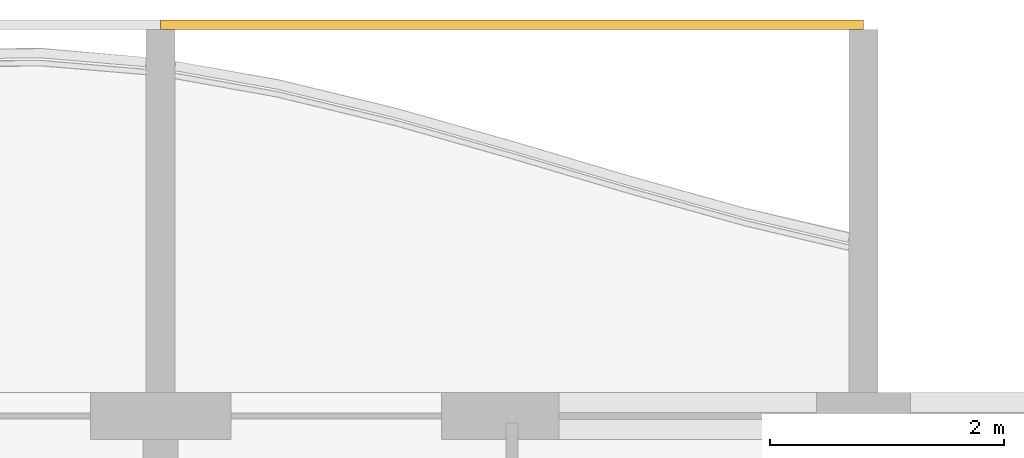
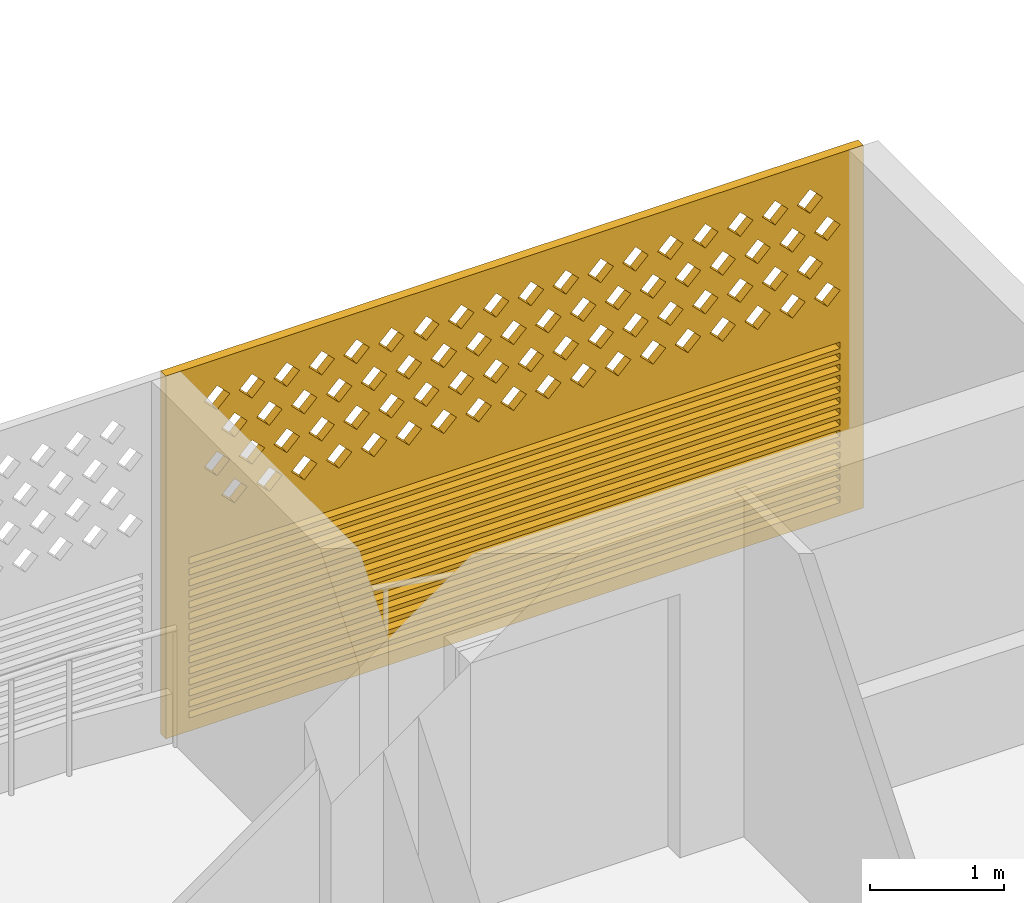
# One storey, part 25 of 31: 1 covering.
"""IFC4 building model written with IfcOpenShell, lengths in metres."""

from ifc_helpers import new_model, si_unit, direction, frame, origin, place, context, subcontext, project, spatial, polyline, outline, extrude, source, transform, mapped, material, material_profile, profile_set, type_object, element, save


model = new_model("IFC4")

# Units and contexts
model_context = context("Model", 3, precision=1e-05, world=origin(), true_north=direction((0.0, 1.0)))
body_context = subcontext(model_context, "Body", "Model", "MODEL_VIEW")
ifc_project = project(units=[si_unit("LENGTHUNIT", "METRE"), si_unit("AREAUNIT", "SQUARE_METRE"), si_unit("VOLUMEUNIT", "CUBIC_METRE"), si_unit("PLANEANGLEUNIT", "RADIAN"), si_unit("MASSUNIT", "GRAM", prefix="KILO")], contexts=[model_context])

# Site, building, storey
site_placement = place(None, origin())
site = spatial("IfcSite", under=ifc_project, at=site_placement, CompositionType="ELEMENT")
building_placement = place(site_placement, origin())
building = spatial("IfcBuilding", under=site, at=building_placement, Name="Poui Terraces", CompositionType="ELEMENT")
storey_placement = place(building_placement, frame((0.0, 0.0, 148.800048828125)))
storey = spatial("IfcBuildingStorey", under=building, at=storey_placement, Name="L41", CompositionType="ELEMENT", Elevation=148.800048828125)

# Covering
ifc_material = material(Name="Terracotta screen", Category="masonry")
ifc_material_profile = material_profile(ifc_material, outline(polyline([(-3.0, -1.64990234375), (3.0, -1.64990234375), (3.0, 1.64990234375), (-3.0, 1.64990234375), (-3.0, -1.64990234375)]), holes=[polyline([(-2.800048828125, 0.39990234375), (-2.68994140625, 0.2900390625), (-2.580078125, 0.39990234375), (-2.68994140625, 0.510009765625), (-2.800048828125, 0.39990234375)]), polyline([(-2.5, 0.39990234375), (-2.389892578125, 0.2900390625), (-2.280029296875, 0.39990234375), (-2.389892578125, 0.510009765625), (-2.5, 0.39990234375)]), polyline([(-2.199951171875, 0.39990234375), (-2.090087890625, 0.2900390625), (-1.97998046875, 0.39990234375), (-2.090087890625, 0.510009765625), (-2.199951171875, 0.39990234375)]), polyline([(-1.89990234375, 0.39990234375), (-1.7900390625, 0.2900390625), (-1.679931640625, 0.39990234375), (-1.7900390625, 0.510009765625), (-1.89990234375, 0.39990234375)]), polyline([(-1.60009765625, 0.39990234375), (-1.489990234375, 0.2900390625), (-1.3798828125, 0.39990234375), (-1.489990234375, 0.510009765625), (-1.60009765625, 0.39990234375)]), polyline([(-1.300048828125, 0.39990234375), (-1.18994140625, 0.2900390625), (-1.080078125, 0.39990234375), (-1.18994140625, 0.510009765625), (-1.300048828125, 0.39990234375)]), polyline([(-1.0, 0.39990234375), (-0.889892578125, 0.2900390625), (-0.780029296875, 0.39990234375), (-0.889892578125, 0.510009765625), (-1.0, 0.39990234375)]), polyline([(-0.699951171875, 0.39990234375), (-0.590087890625, 0.2900390625), (-0.47998046875, 0.39990234375), (-0.590087890625, 0.510009765625), (-0.699951171875, 0.39990234375)]), polyline([(-0.39990234375, 0.39990234375), (-0.2900390625, 0.2900390625), (-0.179931640625, 0.39990234375), (-0.2900390625, 0.510009765625), (-0.39990234375, 0.39990234375)]), polyline([(-0.10009765625, 0.39990234375), (0.010009765625, 0.2900390625), (0.1201171875, 0.39990234375), (0.010009765625, 0.510009765625), (-0.10009765625, 0.39990234375)]), polyline([(0.199951171875, 0.39990234375), (0.31005859375, 0.2900390625), (0.419921875, 0.39990234375), (0.31005859375, 0.510009765625), (0.199951171875, 0.39990234375)]), polyline([(0.5, 0.39990234375), (0.610107421875, 0.2900390625), (0.719970703125, 0.39990234375), (0.610107421875, 0.510009765625), (0.5, 0.39990234375)]), polyline([(0.800048828125, 0.39990234375), (0.909912109375, 0.2900390625), (1.02001953125, 0.39990234375), (0.909912109375, 0.510009765625), (0.800048828125, 0.39990234375)]), polyline([(1.10009765625, 0.39990234375), (1.2099609375, 0.2900390625), (1.320068359375, 0.39990234375), (1.2099609375, 0.510009765625), (1.10009765625, 0.39990234375)]), polyline([(1.39990234375, 0.39990234375), (1.510009765625, 0.2900390625), (1.6201171875, 0.39990234375), (1.510009765625, 0.510009765625), (1.39990234375, 0.39990234375)]), polyline([(1.699951171875, 0.39990234375), (1.81005859375, 0.2900390625), (1.919921875, 0.39990234375), (1.81005859375, 0.510009765625), (1.699951171875, 0.39990234375)]), polyline([(2.0, 0.39990234375), (2.110107421875, 0.2900390625), (2.219970703125, 0.39990234375), (2.110107421875, 0.510009765625), (2.0, 0.39990234375)]), polyline([(2.300048828125, 0.39990234375), (2.409912109375, 0.2900390625), (2.52001953125, 0.39990234375), (2.409912109375, 0.510009765625), (2.300048828125, 0.39990234375)]), polyline([(-2.64990234375, 0.699951171875), (-2.5400390625, 0.590087890625), (-2.429931640625, 0.699951171875), (-2.5400390625, 0.81005859375), (-2.64990234375, 0.699951171875)]), polyline([(-2.35009765625, 0.699951171875), (-2.239990234375, 0.590087890625), (-2.1298828125, 0.699951171875), (-2.239990234375, 0.81005859375), (-2.35009765625, 0.699951171875)]), polyline([(-2.050048828125, 0.699951171875), (-1.93994140625, 0.590087890625), (-1.830078125, 0.699951171875), (-1.93994140625, 0.81005859375), (-2.050048828125, 0.699951171875)]), polyline([(-1.75, 0.699951171875), (-1.639892578125, 0.590087890625), (-1.530029296875, 0.699951171875), (-1.639892578125, 0.81005859375), (-1.75, 0.699951171875)]), polyline([(-1.449951171875, 0.699951171875), (-1.340087890625, 0.590087890625), (-1.22998046875, 0.699951171875), (-1.340087890625, 0.81005859375), (-1.449951171875, 0.699951171875)]), polyline([(-1.14990234375, 0.699951171875), (-1.0400390625, 0.590087890625), (-0.929931640625, 0.699951171875), (-1.0400390625, 0.81005859375), (-1.14990234375, 0.699951171875)]), polyline([(-0.85009765625, 0.699951171875), (-0.739990234375, 0.590087890625), (-0.6298828125, 0.699951171875), (-0.739990234375, 0.81005859375), (-0.85009765625, 0.699951171875)]), polyline([(-0.550048828125, 0.699951171875), (-0.43994140625, 0.590087890625), (-0.330078125, 0.699951171875), (-0.43994140625, 0.81005859375), (-0.550048828125, 0.699951171875)]), polyline([(-0.25, 0.699951171875), (-0.139892578125, 0.590087890625), (-0.030029296875, 0.699951171875), (-0.139892578125, 0.81005859375), (-0.25, 0.699951171875)]), polyline([(0.050048828125, 0.699951171875), (0.159912109375, 0.590087890625), (0.27001953125, 0.699951171875), (0.159912109375, 0.81005859375), (0.050048828125, 0.699951171875)]), polyline([(0.35009765625, 0.699951171875), (0.4599609375, 0.590087890625), (0.570068359375, 0.699951171875), (0.4599609375, 0.81005859375), (0.35009765625, 0.699951171875)]), polyline([(0.64990234375, 0.699951171875), (0.760009765625, 0.590087890625), (0.8701171875, 0.699951171875), (0.760009765625, 0.81005859375), (0.64990234375, 0.699951171875)]), polyline([(0.949951171875, 0.699951171875), (1.06005859375, 0.590087890625), (1.169921875, 0.699951171875), (1.06005859375, 0.81005859375), (0.949951171875, 0.699951171875)]), polyline([(1.25, 0.699951171875), (1.360107421875, 0.590087890625), (1.469970703125, 0.699951171875), (1.360107421875, 0.81005859375), (1.25, 0.699951171875)]), polyline([(1.550048828125, 0.699951171875), (1.659912109375, 0.590087890625), (1.77001953125, 0.699951171875), (1.659912109375, 0.81005859375), (1.550048828125, 0.699951171875)]), polyline([(1.85009765625, 0.699951171875), (1.9599609375, 0.590087890625), (2.070068359375, 0.699951171875), (1.9599609375, 0.81005859375), (1.85009765625, 0.699951171875)]), polyline([(2.14990234375, 0.699951171875), (2.260009765625, 0.590087890625), (2.3701171875, 0.699951171875), (2.260009765625, 0.81005859375), (2.14990234375, 0.699951171875)]), polyline([(2.449951171875, 0.699951171875), (2.56005859375, 0.590087890625), (2.669921875, 0.699951171875), (2.56005859375, 0.81005859375), (2.449951171875, 0.699951171875)]), polyline([(-2.800048828125, 1.0), (-2.68994140625, 0.889892578125), (-2.580078125, 1.0), (-2.68994140625, 1.110107421875), (-2.800048828125, 1.0)]), polyline([(-2.5, 1.0), (-2.389892578125, 0.889892578125), (-2.280029296875, 1.0), (-2.389892578125, 1.110107421875), (-2.5, 1.0)]), polyline([(-2.199951171875, 1.0), (-2.090087890625, 0.889892578125), (-1.97998046875, 1.0), (-2.090087890625, 1.110107421875), (-2.199951171875, 1.0)]), polyline([(-1.89990234375, 1.0), (-1.7900390625, 0.889892578125), (-1.679931640625, 1.0), (-1.7900390625, 1.110107421875), (-1.89990234375, 1.0)]), polyline([(-1.60009765625, 1.0), (-1.489990234375, 0.889892578125), (-1.3798828125, 1.0), (-1.489990234375, 1.110107421875), (-1.60009765625, 1.0)]), polyline([(-1.300048828125, 1.0), (-1.18994140625, 0.889892578125), (-1.080078125, 1.0), (-1.18994140625, 1.110107421875), (-1.300048828125, 1.0)]), polyline([(-1.0, 1.0), (-0.889892578125, 0.889892578125), (-0.780029296875, 1.0), (-0.889892578125, 1.110107421875), (-1.0, 1.0)]), polyline([(-0.699951171875, 1.0), (-0.590087890625, 0.889892578125), (-0.47998046875, 1.0), (-0.590087890625, 1.110107421875), (-0.699951171875, 1.0)]), polyline([(-0.39990234375, 1.0), (-0.2900390625, 0.889892578125), (-0.179931640625, 1.0), (-0.2900390625, 1.110107421875), (-0.39990234375, 1.0)]), polyline([(-0.10009765625, 1.0), (0.010009765625, 0.889892578125), (0.1201171875, 1.0), (0.010009765625, 1.110107421875), (-0.10009765625, 1.0)]), polyline([(0.199951171875, 1.0), (0.31005859375, 0.889892578125), (0.419921875, 1.0), (0.31005859375, 1.110107421875), (0.199951171875, 1.0)]), polyline([(0.5, 1.0), (0.610107421875, 0.889892578125), (0.719970703125, 1.0), (0.610107421875, 1.110107421875), (0.5, 1.0)]), polyline([(0.800048828125, 1.0), (0.909912109375, 0.889892578125), (1.02001953125, 1.0), (0.909912109375, 1.110107421875), (0.800048828125, 1.0)]), polyline([(1.10009765625, 1.0), (1.2099609375, 0.889892578125), (1.320068359375, 1.0), (1.2099609375, 1.110107421875), (1.10009765625, 1.0)]), polyline([(1.39990234375, 1.0), (1.510009765625, 0.889892578125), (1.6201171875, 1.0), (1.510009765625, 1.110107421875), (1.39990234375, 1.0)]), polyline([(1.699951171875, 1.0), (1.81005859375, 0.889892578125), (1.919921875, 1.0), (1.81005859375, 1.110107421875), (1.699951171875, 1.0)]), polyline([(2.0, 1.0), (2.110107421875, 0.889892578125), (2.219970703125, 1.0), (2.110107421875, 1.110107421875), (2.0, 1.0)]), polyline([(2.300048828125, 1.0), (2.409912109375, 0.889892578125), (2.52001953125, 1.0), (2.409912109375, 1.110107421875), (2.300048828125, 1.0)]), polyline([(-2.64990234375, 1.300048828125), (-2.5400390625, 1.18994140625), (-2.429931640625, 1.300048828125), (-2.5400390625, 1.409912109375), (-2.64990234375, 1.300048828125)]), polyline([(-2.35009765625, 1.300048828125), (-2.239990234375, 1.18994140625), (-2.1298828125, 1.300048828125), (-2.239990234375, 1.409912109375), (-2.35009765625, 1.300048828125)]), polyline([(-2.050048828125, 1.300048828125), (-1.93994140625, 1.18994140625), (-1.830078125, 1.300048828125), (-1.93994140625, 1.409912109375), (-2.050048828125, 1.300048828125)]), polyline([(-1.75, 1.300048828125), (-1.639892578125, 1.18994140625), (-1.530029296875, 1.300048828125), (-1.639892578125, 1.409912109375), (-1.75, 1.300048828125)]), polyline([(-1.449951171875, 1.300048828125), (-1.340087890625, 1.18994140625), (-1.22998046875, 1.300048828125), (-1.340087890625, 1.409912109375), (-1.449951171875, 1.300048828125)]), polyline([(-1.14990234375, 1.300048828125), (-1.0400390625, 1.18994140625), (-0.929931640625, 1.300048828125), (-1.0400390625, 1.409912109375), (-1.14990234375, 1.300048828125)]), polyline([(-0.85009765625, 1.300048828125), (-0.739990234375, 1.18994140625), (-0.6298828125, 1.300048828125), (-0.739990234375, 1.409912109375), (-0.85009765625, 1.300048828125)]), polyline([(-0.550048828125, 1.300048828125), (-0.43994140625, 1.18994140625), (-0.330078125, 1.300048828125), (-0.43994140625, 1.409912109375), (-0.550048828125, 1.300048828125)]), polyline([(-0.25, 1.300048828125), (-0.139892578125, 1.18994140625), (-0.030029296875, 1.300048828125), (-0.139892578125, 1.409912109375), (-0.25, 1.300048828125)]), polyline([(0.050048828125, 1.300048828125), (0.159912109375, 1.18994140625), (0.27001953125, 1.300048828125), (0.159912109375, 1.409912109375), (0.050048828125, 1.300048828125)]), polyline([(0.35009765625, 1.300048828125), (0.4599609375, 1.18994140625), (0.570068359375, 1.300048828125), (0.4599609375, 1.409912109375), (0.35009765625, 1.300048828125)]), polyline([(0.64990234375, 1.300048828125), (0.760009765625, 1.18994140625), (0.8701171875, 1.300048828125), (0.760009765625, 1.409912109375), (0.64990234375, 1.300048828125)]), polyline([(0.949951171875, 1.300048828125), (1.06005859375, 1.18994140625), (1.169921875, 1.300048828125), (1.06005859375, 1.409912109375), (0.949951171875, 1.300048828125)]), polyline([(1.25, 1.300048828125), (1.360107421875, 1.18994140625), (1.469970703125, 1.300048828125), (1.360107421875, 1.409912109375), (1.25, 1.300048828125)]), polyline([(1.550048828125, 1.300048828125), (1.659912109375, 1.18994140625), (1.77001953125, 1.300048828125), (1.659912109375, 1.409912109375), (1.550048828125, 1.300048828125)]), polyline([(1.85009765625, 1.300048828125), (1.9599609375, 1.18994140625), (2.070068359375, 1.300048828125), (1.9599609375, 1.409912109375), (1.85009765625, 1.300048828125)]), polyline([(2.14990234375, 1.300048828125), (2.260009765625, 1.18994140625), (2.3701171875, 1.300048828125), (2.260009765625, 1.409912109375), (2.14990234375, 1.300048828125)]), polyline([(2.449951171875, 1.300048828125), (2.56005859375, 1.18994140625), (2.669921875, 1.300048828125), (2.56005859375, 1.409912109375), (2.449951171875, 1.300048828125)]), polyline([(-2.800048828125, -1.530029296875), (2.800048828125, -1.530029296875), (2.800048828125, -1.469970703125), (-2.800048828125, -1.469970703125), (-2.800048828125, -1.530029296875)]), polyline([(-2.800048828125, -1.429931640625), (2.800048828125, -1.429931640625), (2.800048828125, -1.3701171875), (-2.800048828125, -1.3701171875), (-2.800048828125, -1.429931640625)]), polyline([(-2.800048828125, -1.330078125), (2.800048828125, -1.330078125), (2.800048828125, -1.27001953125), (-2.800048828125, -1.27001953125), (-2.800048828125, -1.330078125)]), polyline([(-2.800048828125, -1.22998046875), (2.800048828125, -1.22998046875), (2.800048828125, -1.169921875), (-2.800048828125, -1.169921875), (-2.800048828125, -1.22998046875)]), polyline([(-2.800048828125, -1.1298828125), (2.800048828125, -1.1298828125), (2.800048828125, -1.070068359375), (-2.800048828125, -1.070068359375), (-2.800048828125, -1.1298828125)]), polyline([(-2.800048828125, -1.030029296875), (2.800048828125, -1.030029296875), (2.800048828125, -0.969970703125), (-2.800048828125, -0.969970703125), (-2.800048828125, -1.030029296875)]), polyline([(-2.800048828125, -0.929931640625), (2.800048828125, -0.929931640625), (2.800048828125, -0.8701171875), (-2.800048828125, -0.8701171875), (-2.800048828125, -0.929931640625)]), polyline([(-2.800048828125, -0.830078125), (2.800048828125, -0.830078125), (2.800048828125, -0.77001953125), (-2.800048828125, -0.77001953125), (-2.800048828125, -0.830078125)]), polyline([(-2.800048828125, -0.72998046875), (2.800048828125, -0.72998046875), (2.800048828125, -0.669921875), (-2.800048828125, -0.669921875), (-2.800048828125, -0.72998046875)]), polyline([(-2.800048828125, -0.6298828125), (2.800048828125, -0.6298828125), (2.800048828125, -0.570068359375), (-2.800048828125, -0.570068359375), (-2.800048828125, -0.6298828125)]), polyline([(-2.800048828125, -0.530029296875), (2.800048828125, -0.530029296875), (2.800048828125, -0.469970703125), (-2.800048828125, -0.469970703125), (-2.800048828125, -0.530029296875)]), polyline([(-2.800048828125, -0.429931640625), (2.800048828125, -0.429931640625), (2.800048828125, -0.3701171875), (-2.800048828125, -0.3701171875), (-2.800048828125, -0.429931640625)]), polyline([(-2.800048828125, -0.330078125), (2.800048828125, -0.330078125), (2.800048828125, -0.27001953125), (-2.800048828125, -0.27001953125), (-2.800048828125, -0.330078125)]), polyline([(-2.800048828125, -0.22998046875), (2.800048828125, -0.22998046875), (2.800048828125, -0.169921875), (-2.800048828125, -0.169921875), (-2.800048828125, -0.22998046875)]), polyline([(-2.800048828125, -0.1298828125), (2.800048828125, -0.1298828125), (2.800048828125, -0.070068359375), (-2.800048828125, -0.070068359375), (-2.800048828125, -0.1298828125)])]), Name="TERRACOTTA SCREEN AND JALOUSIE LOUVRE 6000X3300")
ifc_profile_set = profile_set([ifc_material_profile], Name="Terracotta screen")
covering_type = type_object("IfcCoveringType", Name="TERRACOTTA SCREEN AND JALOUSIE LOUVRE 6000X3300", PredefinedType="CLADDING", material=ifc_profile_set)
shared_shape = source(origin(), body_context, "Body", "SweptSolid", [
    extrude(outline(polyline([(-3.0, -1.64990234375), (3.0, -1.64990234375), (3.0, 1.64990234375), (-3.0, 1.64990234375), (-3.0, -1.64990234375)]), holes=[polyline([(-2.800048828125, 0.39990234375), (-2.68994140625, 0.2900390625), (-2.580078125, 0.39990234375), (-2.68994140625, 0.510009765625), (-2.800048828125, 0.39990234375)]), polyline([(-2.5, 0.39990234375), (-2.389892578125, 0.2900390625), (-2.280029296875, 0.39990234375), (-2.389892578125, 0.510009765625), (-2.5, 0.39990234375)]), polyline([(-2.199951171875, 0.39990234375), (-2.090087890625, 0.2900390625), (-1.97998046875, 0.39990234375), (-2.090087890625, 0.510009765625), (-2.199951171875, 0.39990234375)]), polyline([(-1.89990234375, 0.39990234375), (-1.7900390625, 0.2900390625), (-1.679931640625, 0.39990234375), (-1.7900390625, 0.510009765625), (-1.89990234375, 0.39990234375)]), polyline([(-1.60009765625, 0.39990234375), (-1.489990234375, 0.2900390625), (-1.3798828125, 0.39990234375), (-1.489990234375, 0.510009765625), (-1.60009765625, 0.39990234375)]), polyline([(-1.300048828125, 0.39990234375), (-1.18994140625, 0.2900390625), (-1.080078125, 0.39990234375), (-1.18994140625, 0.510009765625), (-1.300048828125, 0.39990234375)]), polyline([(-1.0, 0.39990234375), (-0.889892578125, 0.2900390625), (-0.780029296875, 0.39990234375), (-0.889892578125, 0.510009765625), (-1.0, 0.39990234375)]), polyline([(-0.699951171875, 0.39990234375), (-0.590087890625, 0.2900390625), (-0.47998046875, 0.39990234375), (-0.590087890625, 0.510009765625), (-0.699951171875, 0.39990234375)]), polyline([(-0.39990234375, 0.39990234375), (-0.2900390625, 0.2900390625), (-0.179931640625, 0.39990234375), (-0.2900390625, 0.510009765625), (-0.39990234375, 0.39990234375)]), polyline([(-0.10009765625, 0.39990234375), (0.010009765625, 0.2900390625), (0.1201171875, 0.39990234375), (0.010009765625, 0.510009765625), (-0.10009765625, 0.39990234375)]), polyline([(0.199951171875, 0.39990234375), (0.31005859375, 0.2900390625), (0.419921875, 0.39990234375), (0.31005859375, 0.510009765625), (0.199951171875, 0.39990234375)]), polyline([(0.5, 0.39990234375), (0.610107421875, 0.2900390625), (0.719970703125, 0.39990234375), (0.610107421875, 0.510009765625), (0.5, 0.39990234375)]), polyline([(0.800048828125, 0.39990234375), (0.909912109375, 0.2900390625), (1.02001953125, 0.39990234375), (0.909912109375, 0.510009765625), (0.800048828125, 0.39990234375)]), polyline([(1.10009765625, 0.39990234375), (1.2099609375, 0.2900390625), (1.320068359375, 0.39990234375), (1.2099609375, 0.510009765625), (1.10009765625, 0.39990234375)]), polyline([(1.39990234375, 0.39990234375), (1.510009765625, 0.2900390625), (1.6201171875, 0.39990234375), (1.510009765625, 0.510009765625), (1.39990234375, 0.39990234375)]), polyline([(1.699951171875, 0.39990234375), (1.81005859375, 0.2900390625), (1.919921875, 0.39990234375), (1.81005859375, 0.510009765625), (1.699951171875, 0.39990234375)]), polyline([(2.0, 0.39990234375), (2.110107421875, 0.2900390625), (2.219970703125, 0.39990234375), (2.110107421875, 0.510009765625), (2.0, 0.39990234375)]), polyline([(2.300048828125, 0.39990234375), (2.409912109375, 0.2900390625), (2.52001953125, 0.39990234375), (2.409912109375, 0.510009765625), (2.300048828125, 0.39990234375)]), polyline([(-2.64990234375, 0.699951171875), (-2.5400390625, 0.590087890625), (-2.429931640625, 0.699951171875), (-2.5400390625, 0.81005859375), (-2.64990234375, 0.699951171875)]), polyline([(-2.35009765625, 0.699951171875), (-2.239990234375, 0.590087890625), (-2.1298828125, 0.699951171875), (-2.239990234375, 0.81005859375), (-2.35009765625, 0.699951171875)]), polyline([(-2.050048828125, 0.699951171875), (-1.93994140625, 0.590087890625), (-1.830078125, 0.699951171875), (-1.93994140625, 0.81005859375), (-2.050048828125, 0.699951171875)]), polyline([(-1.75, 0.699951171875), (-1.639892578125, 0.590087890625), (-1.530029296875, 0.699951171875), (-1.639892578125, 0.81005859375), (-1.75, 0.699951171875)]), polyline([(-1.449951171875, 0.699951171875), (-1.340087890625, 0.590087890625), (-1.22998046875, 0.699951171875), (-1.340087890625, 0.81005859375), (-1.449951171875, 0.699951171875)]), polyline([(-1.14990234375, 0.699951171875), (-1.0400390625, 0.590087890625), (-0.929931640625, 0.699951171875), (-1.0400390625, 0.81005859375), (-1.14990234375, 0.699951171875)]), polyline([(-0.85009765625, 0.699951171875), (-0.739990234375, 0.590087890625), (-0.6298828125, 0.699951171875), (-0.739990234375, 0.81005859375), (-0.85009765625, 0.699951171875)]), polyline([(-0.550048828125, 0.699951171875), (-0.43994140625, 0.590087890625), (-0.330078125, 0.699951171875), (-0.43994140625, 0.81005859375), (-0.550048828125, 0.699951171875)]), polyline([(-0.25, 0.699951171875), (-0.139892578125, 0.590087890625), (-0.030029296875, 0.699951171875), (-0.139892578125, 0.81005859375), (-0.25, 0.699951171875)]), polyline([(0.050048828125, 0.699951171875), (0.159912109375, 0.590087890625), (0.27001953125, 0.699951171875), (0.159912109375, 0.81005859375), (0.050048828125, 0.699951171875)]), polyline([(0.35009765625, 0.699951171875), (0.4599609375, 0.590087890625), (0.570068359375, 0.699951171875), (0.4599609375, 0.81005859375), (0.35009765625, 0.699951171875)]), polyline([(0.64990234375, 0.699951171875), (0.760009765625, 0.590087890625), (0.8701171875, 0.699951171875), (0.760009765625, 0.81005859375), (0.64990234375, 0.699951171875)]), polyline([(0.949951171875, 0.699951171875), (1.06005859375, 0.590087890625), (1.169921875, 0.699951171875), (1.06005859375, 0.81005859375), (0.949951171875, 0.699951171875)]), polyline([(1.25, 0.699951171875), (1.360107421875, 0.590087890625), (1.469970703125, 0.699951171875), (1.360107421875, 0.81005859375), (1.25, 0.699951171875)]), polyline([(1.550048828125, 0.699951171875), (1.659912109375, 0.590087890625), (1.77001953125, 0.699951171875), (1.659912109375, 0.81005859375), (1.550048828125, 0.699951171875)]), polyline([(1.85009765625, 0.699951171875), (1.9599609375, 0.590087890625), (2.070068359375, 0.699951171875), (1.9599609375, 0.81005859375), (1.85009765625, 0.699951171875)]), polyline([(2.14990234375, 0.699951171875), (2.260009765625, 0.590087890625), (2.3701171875, 0.699951171875), (2.260009765625, 0.81005859375), (2.14990234375, 0.699951171875)]), polyline([(2.449951171875, 0.699951171875), (2.56005859375, 0.590087890625), (2.669921875, 0.699951171875), (2.56005859375, 0.81005859375), (2.449951171875, 0.699951171875)]), polyline([(-2.800048828125, 1.0), (-2.68994140625, 0.889892578125), (-2.580078125, 1.0), (-2.68994140625, 1.110107421875), (-2.800048828125, 1.0)]), polyline([(-2.5, 1.0), (-2.389892578125, 0.889892578125), (-2.280029296875, 1.0), (-2.389892578125, 1.110107421875), (-2.5, 1.0)]), polyline([(-2.199951171875, 1.0), (-2.090087890625, 0.889892578125), (-1.97998046875, 1.0), (-2.090087890625, 1.110107421875), (-2.199951171875, 1.0)]), polyline([(-1.89990234375, 1.0), (-1.7900390625, 0.889892578125), (-1.679931640625, 1.0), (-1.7900390625, 1.110107421875), (-1.89990234375, 1.0)]), polyline([(-1.60009765625, 1.0), (-1.489990234375, 0.889892578125), (-1.3798828125, 1.0), (-1.489990234375, 1.110107421875), (-1.60009765625, 1.0)]), polyline([(-1.300048828125, 1.0), (-1.18994140625, 0.889892578125), (-1.080078125, 1.0), (-1.18994140625, 1.110107421875), (-1.300048828125, 1.0)]), polyline([(-1.0, 1.0), (-0.889892578125, 0.889892578125), (-0.780029296875, 1.0), (-0.889892578125, 1.110107421875), (-1.0, 1.0)]), polyline([(-0.699951171875, 1.0), (-0.590087890625, 0.889892578125), (-0.47998046875, 1.0), (-0.590087890625, 1.110107421875), (-0.699951171875, 1.0)]), polyline([(-0.39990234375, 1.0), (-0.2900390625, 0.889892578125), (-0.179931640625, 1.0), (-0.2900390625, 1.110107421875), (-0.39990234375, 1.0)]), polyline([(-0.10009765625, 1.0), (0.010009765625, 0.889892578125), (0.1201171875, 1.0), (0.010009765625, 1.110107421875), (-0.10009765625, 1.0)]), polyline([(0.199951171875, 1.0), (0.31005859375, 0.889892578125), (0.419921875, 1.0), (0.31005859375, 1.110107421875), (0.199951171875, 1.0)]), polyline([(0.5, 1.0), (0.610107421875, 0.889892578125), (0.719970703125, 1.0), (0.610107421875, 1.110107421875), (0.5, 1.0)]), polyline([(0.800048828125, 1.0), (0.909912109375, 0.889892578125), (1.02001953125, 1.0), (0.909912109375, 1.110107421875), (0.800048828125, 1.0)]), polyline([(1.10009765625, 1.0), (1.2099609375, 0.889892578125), (1.320068359375, 1.0), (1.2099609375, 1.110107421875), (1.10009765625, 1.0)]), polyline([(1.39990234375, 1.0), (1.510009765625, 0.889892578125), (1.6201171875, 1.0), (1.510009765625, 1.110107421875), (1.39990234375, 1.0)]), polyline([(1.699951171875, 1.0), (1.81005859375, 0.889892578125), (1.919921875, 1.0), (1.81005859375, 1.110107421875), (1.699951171875, 1.0)]), polyline([(2.0, 1.0), (2.110107421875, 0.889892578125), (2.219970703125, 1.0), (2.110107421875, 1.110107421875), (2.0, 1.0)]), polyline([(2.300048828125, 1.0), (2.409912109375, 0.889892578125), (2.52001953125, 1.0), (2.409912109375, 1.110107421875), (2.300048828125, 1.0)]), polyline([(-2.64990234375, 1.300048828125), (-2.5400390625, 1.18994140625), (-2.429931640625, 1.300048828125), (-2.5400390625, 1.409912109375), (-2.64990234375, 1.300048828125)]), polyline([(-2.35009765625, 1.300048828125), (-2.239990234375, 1.18994140625), (-2.1298828125, 1.300048828125), (-2.239990234375, 1.409912109375), (-2.35009765625, 1.300048828125)]), polyline([(-2.050048828125, 1.300048828125), (-1.93994140625, 1.18994140625), (-1.830078125, 1.300048828125), (-1.93994140625, 1.409912109375), (-2.050048828125, 1.300048828125)]), polyline([(-1.75, 1.300048828125), (-1.639892578125, 1.18994140625), (-1.530029296875, 1.300048828125), (-1.639892578125, 1.409912109375), (-1.75, 1.300048828125)]), polyline([(-1.449951171875, 1.300048828125), (-1.340087890625, 1.18994140625), (-1.22998046875, 1.300048828125), (-1.340087890625, 1.409912109375), (-1.449951171875, 1.300048828125)]), polyline([(-1.14990234375, 1.300048828125), (-1.0400390625, 1.18994140625), (-0.929931640625, 1.300048828125), (-1.0400390625, 1.409912109375), (-1.14990234375, 1.300048828125)]), polyline([(-0.85009765625, 1.300048828125), (-0.739990234375, 1.18994140625), (-0.6298828125, 1.300048828125), (-0.739990234375, 1.409912109375), (-0.85009765625, 1.300048828125)]), polyline([(-0.550048828125, 1.300048828125), (-0.43994140625, 1.18994140625), (-0.330078125, 1.300048828125), (-0.43994140625, 1.409912109375), (-0.550048828125, 1.300048828125)]), polyline([(-0.25, 1.300048828125), (-0.139892578125, 1.18994140625), (-0.030029296875, 1.300048828125), (-0.139892578125, 1.409912109375), (-0.25, 1.300048828125)]), polyline([(0.050048828125, 1.300048828125), (0.159912109375, 1.18994140625), (0.27001953125, 1.300048828125), (0.159912109375, 1.409912109375), (0.050048828125, 1.300048828125)]), polyline([(0.35009765625, 1.300048828125), (0.4599609375, 1.18994140625), (0.570068359375, 1.300048828125), (0.4599609375, 1.409912109375), (0.35009765625, 1.300048828125)]), polyline([(0.64990234375, 1.300048828125), (0.760009765625, 1.18994140625), (0.8701171875, 1.300048828125), (0.760009765625, 1.409912109375), (0.64990234375, 1.300048828125)]), polyline([(0.949951171875, 1.300048828125), (1.06005859375, 1.18994140625), (1.169921875, 1.300048828125), (1.06005859375, 1.409912109375), (0.949951171875, 1.300048828125)]), polyline([(1.25, 1.300048828125), (1.360107421875, 1.18994140625), (1.469970703125, 1.300048828125), (1.360107421875, 1.409912109375), (1.25, 1.300048828125)]), polyline([(1.550048828125, 1.300048828125), (1.659912109375, 1.18994140625), (1.77001953125, 1.300048828125), (1.659912109375, 1.409912109375), (1.550048828125, 1.300048828125)]), polyline([(1.85009765625, 1.300048828125), (1.9599609375, 1.18994140625), (2.070068359375, 1.300048828125), (1.9599609375, 1.409912109375), (1.85009765625, 1.300048828125)]), polyline([(2.14990234375, 1.300048828125), (2.260009765625, 1.18994140625), (2.3701171875, 1.300048828125), (2.260009765625, 1.409912109375), (2.14990234375, 1.300048828125)]), polyline([(2.449951171875, 1.300048828125), (2.56005859375, 1.18994140625), (2.669921875, 1.300048828125), (2.56005859375, 1.409912109375), (2.449951171875, 1.300048828125)]), polyline([(-2.800048828125, -1.530029296875), (2.800048828125, -1.530029296875), (2.800048828125, -1.469970703125), (-2.800048828125, -1.469970703125), (-2.800048828125, -1.530029296875)]), polyline([(-2.800048828125, -1.429931640625), (2.800048828125, -1.429931640625), (2.800048828125, -1.3701171875), (-2.800048828125, -1.3701171875), (-2.800048828125, -1.429931640625)]), polyline([(-2.800048828125, -1.330078125), (2.800048828125, -1.330078125), (2.800048828125, -1.27001953125), (-2.800048828125, -1.27001953125), (-2.800048828125, -1.330078125)]), polyline([(-2.800048828125, -1.22998046875), (2.800048828125, -1.22998046875), (2.800048828125, -1.169921875), (-2.800048828125, -1.169921875), (-2.800048828125, -1.22998046875)]), polyline([(-2.800048828125, -1.1298828125), (2.800048828125, -1.1298828125), (2.800048828125, -1.070068359375), (-2.800048828125, -1.070068359375), (-2.800048828125, -1.1298828125)]), polyline([(-2.800048828125, -1.030029296875), (2.800048828125, -1.030029296875), (2.800048828125, -0.969970703125), (-2.800048828125, -0.969970703125), (-2.800048828125, -1.030029296875)]), polyline([(-2.800048828125, -0.929931640625), (2.800048828125, -0.929931640625), (2.800048828125, -0.8701171875), (-2.800048828125, -0.8701171875), (-2.800048828125, -0.929931640625)]), polyline([(-2.800048828125, -0.830078125), (2.800048828125, -0.830078125), (2.800048828125, -0.77001953125), (-2.800048828125, -0.77001953125), (-2.800048828125, -0.830078125)]), polyline([(-2.800048828125, -0.72998046875), (2.800048828125, -0.72998046875), (2.800048828125, -0.669921875), (-2.800048828125, -0.669921875), (-2.800048828125, -0.72998046875)]), polyline([(-2.800048828125, -0.6298828125), (2.800048828125, -0.6298828125), (2.800048828125, -0.570068359375), (-2.800048828125, -0.570068359375), (-2.800048828125, -0.6298828125)]), polyline([(-2.800048828125, -0.530029296875), (2.800048828125, -0.530029296875), (2.800048828125, -0.469970703125), (-2.800048828125, -0.469970703125), (-2.800048828125, -0.530029296875)]), polyline([(-2.800048828125, -0.429931640625), (2.800048828125, -0.429931640625), (2.800048828125, -0.3701171875), (-2.800048828125, -0.3701171875), (-2.800048828125, -0.429931640625)]), polyline([(-2.800048828125, -0.330078125), (2.800048828125, -0.330078125), (2.800048828125, -0.27001953125), (-2.800048828125, -0.27001953125), (-2.800048828125, -0.330078125)]), polyline([(-2.800048828125, -0.22998046875), (2.800048828125, -0.22998046875), (2.800048828125, -0.169921875), (-2.800048828125, -0.169921875), (-2.800048828125, -0.22998046875)]), polyline([(-2.800048828125, -0.1298828125), (2.800048828125, -0.1298828125), (2.800048828125, -0.070068359375), (-2.800048828125, -0.070068359375), (-2.800048828125, -0.1298828125)])]), origin(), (0.0, 0.0, 1.0), 0.080078125),
])
covering_placement = place(storey_placement, frame((57.0, 45.699951171875, 1.449951171875), z_axis=(0.0, 1.0, 0.0), x_axis=(-1.0, 0.0, 0.0)))
element("IfcCovering", 1, at=covering_placement, inside=storey, type_object=covering_type, Name="SOLAR SCREEN AND JALOUSIE LOUVRE", PredefinedType="CLADDING", context=body_context, shape_type="MappedRepresentation", body=[
    mapped(shared_shape, transform((0.0, 0.0, 0.0))),
])

save(model, "model.ifc")
